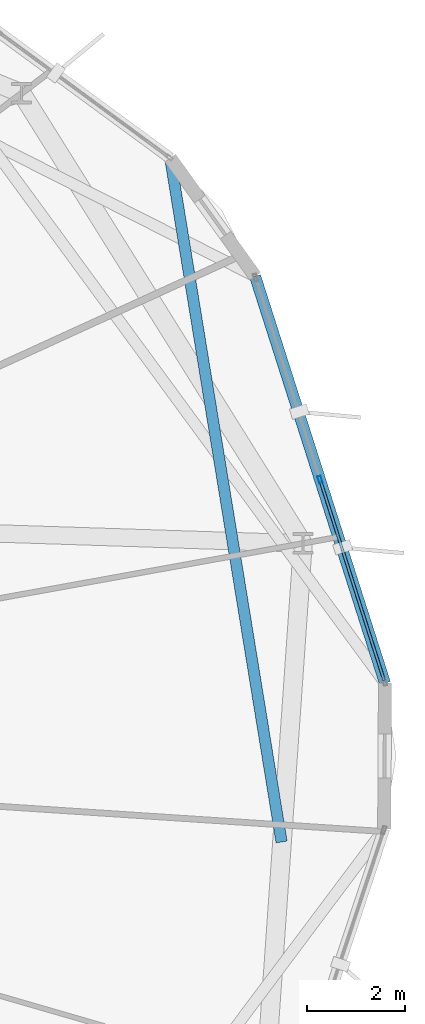
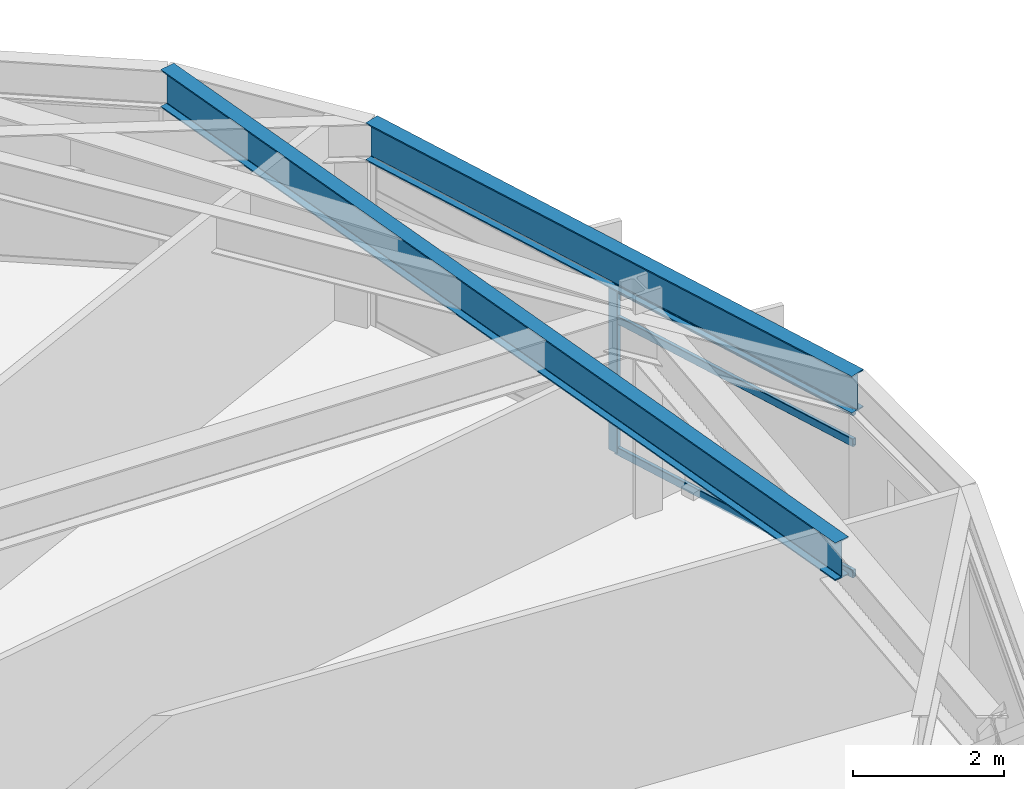
# One storey, part 10 of 24: 4 members, 2 beams, 1 element without a shape of its own.
"""IFC4 building model written with IfcOpenShell, lengths in metres."""

from ifc_helpers import new_model, si_unit, direction, frame, origin, origin_2d, place, context, subcontext, project, spatial, hollow_rectangle, i_section, extrude, material, layer, layer_set, material_profile, profile_set, type_object, element, aggregate, save


model = new_model("IFC4")

# Units and contexts
model_context = context("Model", 3, precision=1e-05, world=origin(), true_north=direction((0.0, 1.0)))
body_context = subcontext(model_context, "Body", "Model", "MODEL_VIEW")
ifc_project = project(units=[si_unit("LENGTHUNIT", "METRE"), si_unit("AREAUNIT", "SQUARE_METRE"), si_unit("VOLUMEUNIT", "CUBIC_METRE"), si_unit("PLANEANGLEUNIT", "RADIAN"), si_unit("MASSUNIT", "GRAM", prefix="KILO")], contexts=[model_context])

# Site, building, storey
site_placement = place(None, origin())
site = spatial("IfcSite", under=ifc_project, at=site_placement, CompositionType="ELEMENT")
building_placement = place(site_placement, origin())
building = spatial("IfcBuilding", under=site, at=building_placement, Name="Soratama Intermodal Tower", CompositionType="ELEMENT")
storey_placement = place(building_placement, frame((0.0, 0.0, 164.199951171875)))
storey = spatial("IfcBuildingStorey", under=building, at=storey_placement, Name="L40", CompositionType="ELEMENT", Elevation=164.199951171875)

# Beams
ifc_material_1 = material(Name="Structural steel ASTM A992 Grade 50", Category="steel")
ifc_material_profile_1 = material_profile(ifc_material_1, i_section(OverallWidth=0.22900390625, OverallDepth=0.612060546875, WebThickness=0.011962890625, FlangeThickness=0.01953125, FilletRadius=0.012939453125, at=origin_2d()), Name="W24X84")
ifc_profile_set_1 = profile_set([ifc_material_profile_1], Name="Structural steel ASTM A992 Grade 50")
beam_type_1 = type_object("IfcBeamType", Name="BM-SPN-W24X84", PredefinedType="SPANDREL", material=ifc_profile_set_1)
beam_1_placement = place(storey_placement, frame((63.654052734375, 26.385986328125, 2.994140625), z_axis=(-0.304065093947, 0.952651257619, 0.0), x_axis=(-0.952651257619, -0.304065093947, 0.0)))
element("IfcBeam", 1, at=beam_1_placement, inside=storey, type_object=beam_type_1, Name="BS-L40-F10", PredefinedType="SPANDREL", context=body_context, shape_type="SweptSolid", body=[
    extrude(i_section(OverallWidth=0.22900390625, OverallDepth=0.612060546875, WebThickness=0.011962890625, FlangeThickness=0.01953125, FilletRadius=0.012939453125, at=origin_2d()), origin(), (0.0, 0.0, 1.0), 8.7021484375),
])
ifc_material_2 = material(Name="Structural steel ASTM A992 Grade 50", Category="steel")
ifc_material_profile_2 = material_profile(ifc_material_2, i_section(OverallWidth=0.22900390625, OverallDepth=0.612060546875, WebThickness=0.011962890625, FlangeThickness=0.01953125, FilletRadius=0.012939453125, at=origin_2d()), Name="W24X84")
ifc_profile_set_2 = profile_set([ifc_material_profile_2], Name="Structural steel ASTM A992 Grade 50")
beam_type_2 = type_object("IfcBeamType", Name="BM-TIE-W24X84", PredefinedType="BEAM", material=ifc_profile_set_2)
beam_2_placement = place(storey_placement, frame((61.5458984375, 23.15087890625, 2.994140625), z_axis=(-0.160696365435, 0.987003889626, 0.0), x_axis=(-0.987003889626, -0.160696365435, 0.0)))
element("IfcBeam", 2, at=beam_2_placement, inside=storey, type_object=beam_type_2, Name="BM-L40-TIE0-01", PredefinedType="BEAM", context=body_context, shape_type="SweptSolid", body=[
    extrude(i_section(OverallWidth=0.22900390625, OverallDepth=0.612060546875, WebThickness=0.011962890625, FlangeThickness=0.01953125, FilletRadius=0.012939453125, at=origin_2d()), origin(), (0.0, 0.0, 1.0), 14.11865234375),
])

# Curtain wall, members
ifc_material_3 = material(Name="Double-glazed aluminium curtain wall", Category="aluminium")
ifc_layer = layer(ifc_material_3, 0.159912109375)
ifc_layer_set = layer_set([ifc_layer], Name="Double-glazed aluminium curtain wall")
curtain_wall_type = type_object("IfcCurtainWallType", Name="CW-SYS-4", PredefinedType="NOTDEFINED", material=ifc_layer_set)
curtain_wall_placement = place(storey_placement, origin())
curtain_wall = element("IfcCurtainWall", 3, at=curtain_wall_placement, inside=storey, type_object=curtain_wall_type, Name="L40 Faceted Curtain Wall F10", PredefinedType="NOTDEFINED")
ifc_material_4 = material(Name="Anodised aluminium AA 6063-T6", Category="aluminium")
ifc_material_profile_3 = material_profile(ifc_material_4, hollow_rectangle(XDim=0.070068359375, YDim=0.159912109375, WallThickness=0.0048828125, InnerFilletRadius=0.0048828125, OuterFilletRadius=0.010009765625, at=origin_2d()), Name="CWM160X70X5")
ifc_profile_set_3 = profile_set([ifc_material_profile_3], Name="Anodised aluminium AA 6063-T6")
member_type_1 = type_object("IfcMemberType", Name="MT-CWM-4", PredefinedType="MULLION", material=ifc_profile_set_3)
member_1_placement = place(storey_placement, frame((62.3310546875, 30.531005859375, 0.0), z_axis=(0.0, 0.0, 1.0), x_axis=(-0.952662539377, -0.304029745368, 0.0)))
member_1 = element("IfcMember", 4, at=member_1_placement, type_object=member_type_1, Name="CW-4 mullion 2", PredefinedType="MULLION", context=body_context, shape_type="SweptSolid", body=[
    extrude(hollow_rectangle(XDim=0.070068359375, YDim=0.159912109375, WallThickness=0.0048828125, InnerFilletRadius=0.0048828125, OuterFilletRadius=0.010009765625, at=origin_2d()), origin(), (0.0, 0.0, 1.0), 2.678955078125),
])
ifc_material_5 = material(Name="Anodised aluminium AA 6063-T6", Category="aluminium")
ifc_material_profile_4 = material_profile(ifc_material_5, hollow_rectangle(XDim=0.06005859375, YDim=0.1298828125, WallThickness=0.0048828125, InnerFilletRadius=0.0048828125, OuterFilletRadius=0.010009765625, at=origin_2d()), Name="CWT130X60X5")
ifc_profile_set_4 = profile_set([ifc_material_profile_4], Name="Anodised aluminium AA 6063-T6")
member_type_2 = type_object("IfcMemberType", Name="TT-CWT-2", PredefinedType="USERDEFINED", material=ifc_profile_set_4)
member_2_placement = place(storey_placement, frame((63.6357421875, 26.44287109375, 0.030029296875), z_axis=(-0.304050130488, 0.952656033493, 0.0), x_axis=(-0.952656033493, -0.304050130488, 0.0)))
member_2 = element("IfcMember", 5, at=member_2_placement, type_object=member_type_2, Name="CW-4 transom 1.1", ObjectType="TRANSOM", PredefinedType="USERDEFINED", context=body_context, shape_type="SweptSolid", body=[
    extrude(hollow_rectangle(XDim=0.06005859375, YDim=0.1298828125, WallThickness=0.0048828125, InnerFilletRadius=0.0048828125, OuterFilletRadius=0.010009765625, at=origin_2d()), origin(), (0.0, 0.0, 1.0), 4.26123046875),
])
member_3_placement = place(storey_placement, frame((63.6357421875, 26.44287109375, 2.150146484375), z_axis=(-0.304050130488, 0.952656033493, 0.0), x_axis=(-0.952656033493, -0.304050130488, 0.0)))
member_3 = element("IfcMember", 6, at=member_3_placement, type_object=member_type_2, Name="CW-4 transom 1.2", ObjectType="TRANSOM", PredefinedType="USERDEFINED", context=body_context, shape_type="SweptSolid", body=[
    extrude(hollow_rectangle(XDim=0.06005859375, YDim=0.1298828125, WallThickness=0.0048828125, InnerFilletRadius=0.0048828125, OuterFilletRadius=0.010009765625, at=origin_2d()), origin(), (0.0, 0.0, 1.0), 4.26123046875),
])
member_4_placement = place(storey_placement, frame((63.6357421875, 26.44287109375, 2.649169921875), z_axis=(-0.304050130488, 0.952656033493, 0.0), x_axis=(-0.952656033493, -0.304050130488, 0.0)))
member_4 = element("IfcMember", 7, at=member_4_placement, type_object=member_type_2, Name="CW-4 transom 1.3", ObjectType="TRANSOM", PredefinedType="USERDEFINED", context=body_context, shape_type="SweptSolid", body=[
    extrude(hollow_rectangle(XDim=0.06005859375, YDim=0.1298828125, WallThickness=0.0048828125, InnerFilletRadius=0.0048828125, OuterFilletRadius=0.010009765625, at=origin_2d()), origin(), (0.0, 0.0, 1.0), 4.26123046875),
])
aggregate(curtain_wall, [member_1, member_2, member_3, member_4])

save(model, "model.ifc")
